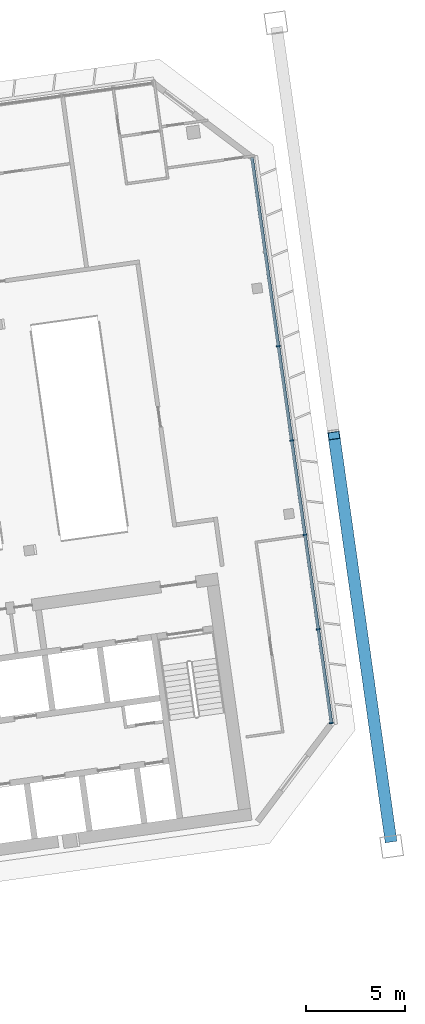
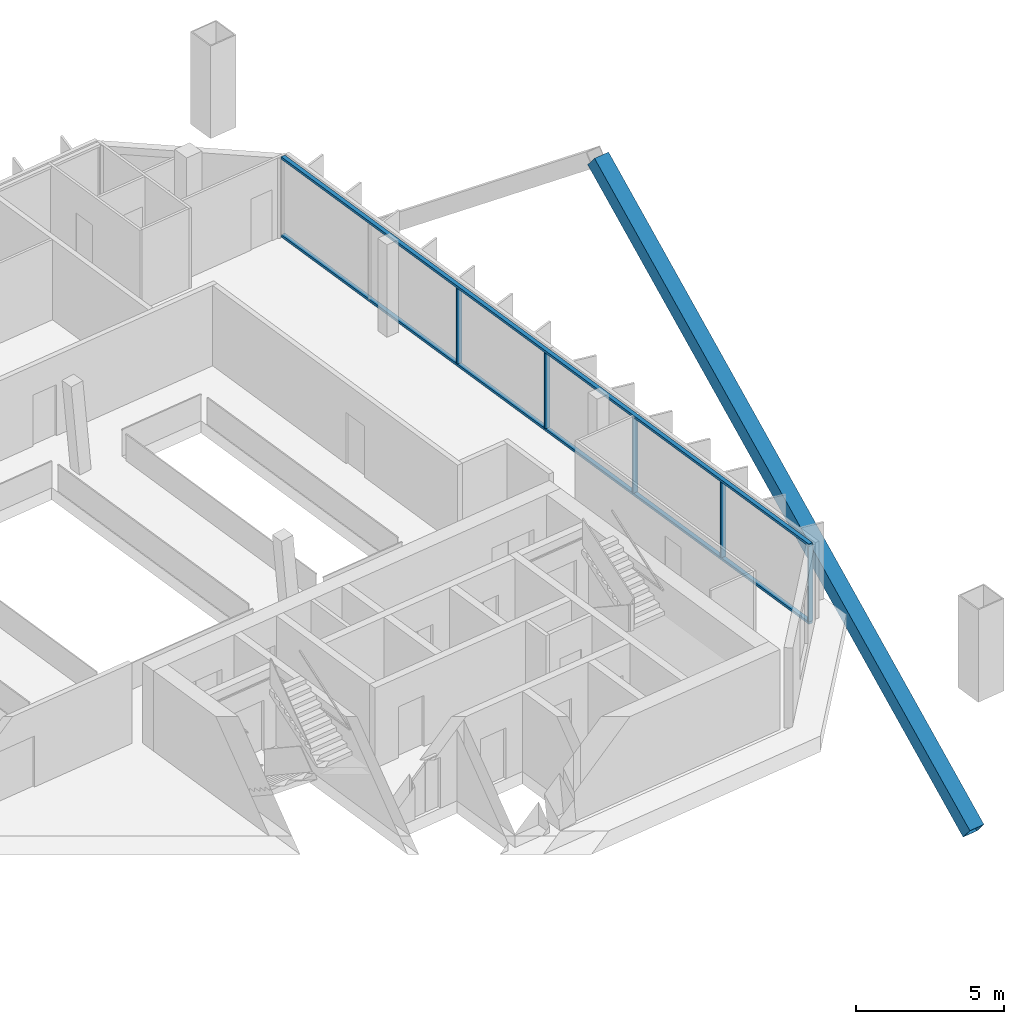
# One storey, part 8 of 28: 8 members, 1 element without a shape of its own.
"""IFC4 building model written with IfcOpenShell, lengths in metres."""

from ifc_helpers import new_model, si_unit, direction, frame, origin, origin_2d, place, context, subcontext, project, spatial, rectangle, hollow_rectangle, extrude, material, material_profile, profile_set, type_object, element, aggregate, save


model = new_model("IFC4")

# Units and contexts
model_context = context("Model", 3, precision=1e-05, world=origin(), true_north=direction((0.0, 1.0)))
body_context = subcontext(model_context, "Body", "Model", "MODEL_VIEW")
ifc_project = project(units=[si_unit("LENGTHUNIT", "METRE"), si_unit("AREAUNIT", "SQUARE_METRE"), si_unit("VOLUMEUNIT", "CUBIC_METRE"), si_unit("PLANEANGLEUNIT", "RADIAN"), si_unit("MASSUNIT", "GRAM", prefix="KILO")], contexts=[model_context])

# Site, building, storey
site_placement = place(None, origin())
site = spatial("IfcSite", under=ifc_project, at=site_placement, CompositionType="ELEMENT")
building_placement = place(site_placement, origin())
building = spatial("IfcBuilding", under=site, at=building_placement, Name="Mirante Cascada Hotel Towers", CompositionType="ELEMENT")
storey_placement = place(building_placement, frame((0.0, 0.0, 262.2)))
storey = spatial("IfcBuildingStorey", under=building, at=storey_placement, Name="L63", CompositionType="ELEMENT", Elevation=262.2)

# Member
ifc_material_1 = material(Name="Steel ASTM A572 Gr 50", Category="steel")
ifc_material_profile_1 = material_profile(ifc_material_1, hollow_rectangle(XDim=0.6, YDim=0.6, WallThickness=0.028, at=origin_2d()), Name="Box brace 600x600x28 ASTM A572 Gr 50")
ifc_profile_set_1 = profile_set([ifc_material_profile_1], Name="Steel ASTM A572 Gr 50")
member_type_1 = type_object("IfcMemberType", Name="Box brace 600x600x28 ASTM A572 Gr 50", PredefinedType="BRACE", material=ifc_profile_set_1)
member_1_placement = place(storey_placement, frame((61.5829, -18.3502, -6.0485), z_axis=(-0.108977, 0.7753947, 0.6220025), x_axis=(-0.9902676, -0.1391761, 0.0)))
element("IfcMember", 1, at=member_1_placement, inside=storey, type_object=member_type_1, Name="brace T2 L63 1", PredefinedType="BRACE", context=body_context, shape_type="SweptSolid", body=[
    extrude(hollow_rectangle(XDim=0.6, YDim=0.6, WallThickness=0.028, at=origin_2d()), origin(), (0.0, 0.0, 1.0), 26.2275),
])

# Curtain wall, members
ifc_material_2 = material(Name="Aluminium mullion and transom frame with clear laminated glass", Category="aluminium")
curtain_wall_type = type_object("IfcCurtainWallType", Name="End ribbon curtain wall ECW2", PredefinedType="NOTDEFINED", material=ifc_material_2)
curtain_wall_placement = place(storey_placement, origin())
curtain_wall = element("IfcCurtainWall", 2, at=curtain_wall_placement, inside=storey, type_object=curtain_wall_type, Name="Outer end wall T2 L63", PredefinedType="NOTDEFINED")
ifc_material_3 = material(Name="Anodised aluminium extrusion", Category="aluminium")
ifc_material_profile_2 = material_profile(ifc_material_3, rectangle(XDim=0.2, YDim=0.065, at=origin_2d()), Name="ECW2 MULLION 65x200")
ifc_profile_set_2 = profile_set([ifc_material_profile_2], Name="Anodised aluminium extrusion")
member_type_2 = type_object("IfcMemberType", Name="ECW2 mullion 65x200", PredefinedType="MULLION", material=ifc_profile_set_2)
member_2_placement = place(storey_placement, frame((58.5935, -12.5284, 0.1), z_axis=(0.0, 0.0, 1.0), x_axis=(-0.9902681, -0.1391731, 0.0)))
member_2 = element("IfcMember", 3, at=member_2_placement, type_object=member_type_2, Name="ECW2 mullion 1", PredefinedType="MULLION", context=body_context, shape_type="SweptSolid", body=[
    extrude(rectangle(XDim=0.2, YDim=0.065, at=origin_2d()), origin(), (0.0, 0.0, 1.0), 3.1),
])
member_3_placement = place(storey_placement, frame((57.9283, -7.7948, 0.1), z_axis=(0.0, 0.0, 1.0), x_axis=(-0.9902681, -0.1391731, 0.0)))
member_3 = element("IfcMember", 4, at=member_3_placement, type_object=member_type_2, Name="ECW2 mullion 2", PredefinedType="MULLION", context=body_context, shape_type="SweptSolid", body=[
    extrude(rectangle(XDim=0.2, YDim=0.065, at=origin_2d()), origin(), (0.0, 0.0, 1.0), 3.1),
])
member_4_placement = place(storey_placement, frame((57.2585, -3.029, 0.1), z_axis=(0.0, 0.0, 1.0), x_axis=(-0.9902681, -0.1391731, 0.0)))
member_4 = element("IfcMember", 5, at=member_4_placement, type_object=member_type_2, Name="ECW2 mullion 3", PredefinedType="MULLION", context=body_context, shape_type="SweptSolid", body=[
    extrude(rectangle(XDim=0.2, YDim=0.065, at=origin_2d()), origin(), (0.0, 0.0, 1.0), 3.1),
])
member_5_placement = place(storey_placement, frame((56.5887, 1.7368, 0.1), z_axis=(0.0, 0.0, 1.0), x_axis=(-0.9902681, -0.1391731, 0.0)))
member_5 = element("IfcMember", 6, at=member_5_placement, type_object=member_type_2, Name="ECW2 mullion 4", PredefinedType="MULLION", context=body_context, shape_type="SweptSolid", body=[
    extrude(rectangle(XDim=0.2, YDim=0.065, at=origin_2d()), origin(), (0.0, 0.0, 1.0), 3.1),
])
member_6_placement = place(storey_placement, frame((55.9189, 6.5026, 0.1), z_axis=(0.0, 0.0, 1.0), x_axis=(-0.9902681, -0.1391731, 0.0)))
member_6 = element("IfcMember", 7, at=member_6_placement, type_object=member_type_2, Name="ECW2 mullion 5", PredefinedType="MULLION", context=body_context, shape_type="SweptSolid", body=[
    extrude(rectangle(XDim=0.2, YDim=0.065, at=origin_2d()), origin(), (0.0, 0.0, 1.0), 3.1),
])
ifc_material_4 = material(Name="Anodised aluminium extrusion", Category="aluminium")
ifc_material_profile_3 = material_profile(ifc_material_4, rectangle(XDim=0.16, YDim=0.1, at=origin_2d()), Name="ECW2 TRANSOM 100x160")
ifc_profile_set_3 = profile_set([ifc_material_profile_3], Name="Anodised aluminium extrusion")
member_type_3 = type_object("IfcMemberType", Name="ECW2 transom 100x160", PredefinedType="USERDEFINED", material=ifc_profile_set_3)
member_7_placement = place(storey_placement, frame((58.5981, -12.5606, 0.05), z_axis=(-0.1391752, 0.9902678, 0.0), x_axis=(-0.9902678, -0.1391752, 0.0)))
member_7 = element("IfcMember", 8, at=member_7_placement, type_object=member_type_3, Name="ECW2 sill transom", ObjectType="TRANSOM", PredefinedType="USERDEFINED", context=body_context, shape_type="SweptSolid", body=[
    extrude(rectangle(XDim=0.16, YDim=0.1, at=origin_2d()), origin(), (0.0, 0.0, 1.0), 28.8758),
])
member_8_placement = place(storey_placement, frame((58.5981, -12.5606, 3.25), z_axis=(-0.1391752, 0.9902678, 0.0), x_axis=(-0.9902678, -0.1391752, 0.0)))
member_8 = element("IfcMember", 9, at=member_8_placement, type_object=member_type_3, Name="ECW2 head transom", ObjectType="TRANSOM", PredefinedType="USERDEFINED", context=body_context, shape_type="SweptSolid", body=[
    extrude(rectangle(XDim=0.16, YDim=0.1, at=origin_2d()), origin(), (0.0, 0.0, 1.0), 28.8758),
])
aggregate(curtain_wall, [member_7, member_8, member_2, member_3, member_4, member_5, member_6])

save(model, "model.ifc")
